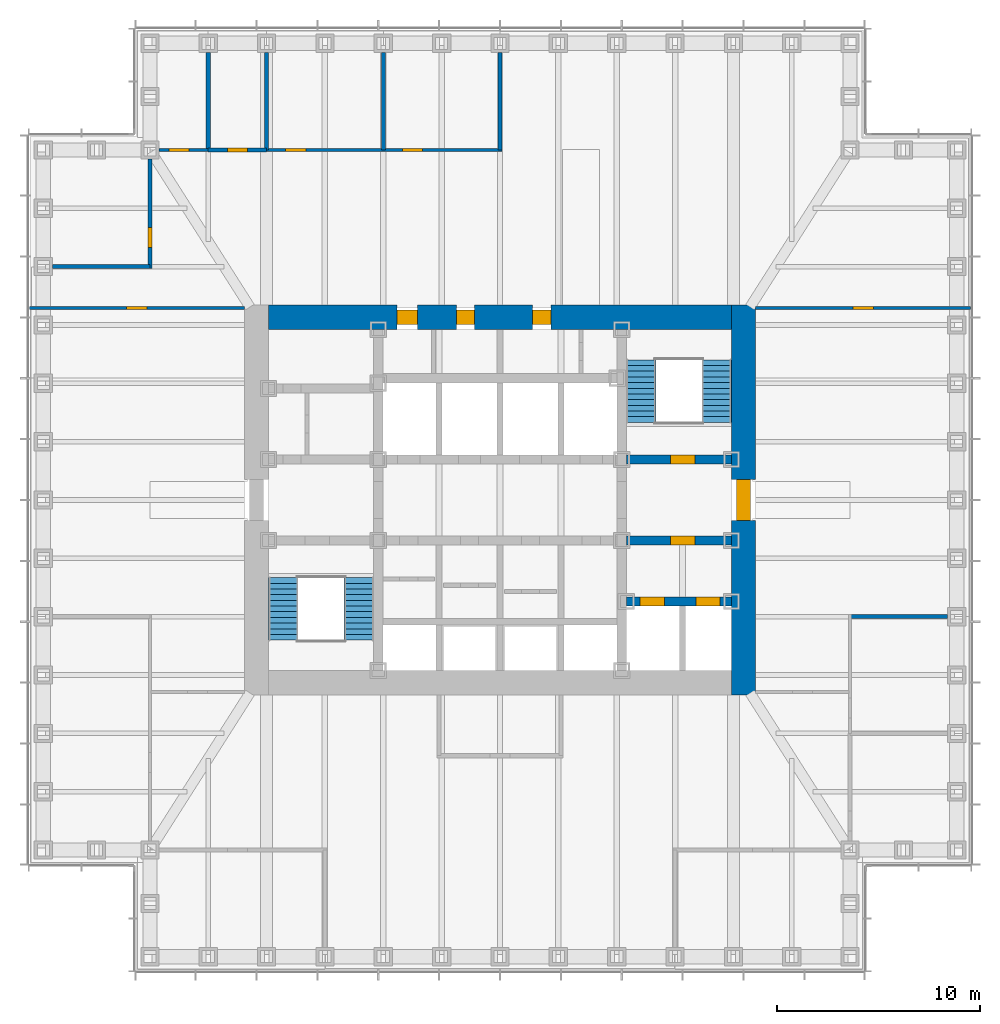
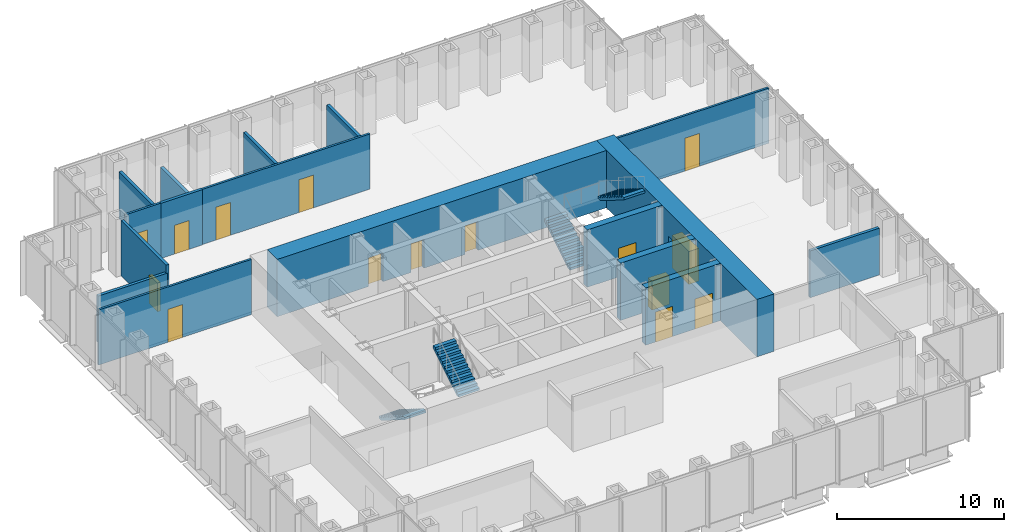
# One storey, part 10 of 16: 17 walls, 15 doors, 4 stair flights, 15 openings, 2 elements without a shape of their own.
"""IFC4 building model written with IfcOpenShell, lengths in metres."""

from ifc_helpers import new_model, si_unit, direction, frame, frame_2d, origin, place, context, subcontext, project, spatial, polyline, rectangle, outline, extrude, material, layer, layer_set, type_object, element, fill, aggregate, save


model = new_model("IFC4")

# Units and contexts
model_context = context("Model", 3, precision=1e-05, world=origin(), true_north=direction((0.0, 1.0)))
body_context = subcontext(model_context, "Body", "Model", "MODEL_VIEW")
ifc_project = project(units=[si_unit("LENGTHUNIT", "METRE"), si_unit("AREAUNIT", "SQUARE_METRE"), si_unit("VOLUMEUNIT", "CUBIC_METRE"), si_unit("PLANEANGLEUNIT", "RADIAN"), si_unit("MASSUNIT", "GRAM", prefix="KILO")], contexts=[model_context])

# Site, building, storey
site_placement = place(None, origin())
site = spatial("IfcSite", under=ifc_project, at=site_placement, CompositionType="ELEMENT")
building_placement = place(site_placement, origin())
building = spatial("IfcBuilding", under=site, at=building_placement, Name="Daluyong Arena Tower", CompositionType="ELEMENT")
storey_placement = place(building_placement, frame((0.0, 0.0, 133.300048828125)))
storey = spatial("IfcBuildingStorey", under=building, at=storey_placement, Name="L29", CompositionType="ELEMENT", Elevation=133.300048828125)

# Wall, openings, doors
ifc_material_1 = material(Name="Concrete fc' 45 MPa", Category="concrete")
ifc_layer_1 = layer(ifc_material_1, 0.449951171875)
ifc_layer_set_1 = layer_set([ifc_layer_1], Name="Concrete fc' 45 MPa")
wall_type_1 = type_object("IfcWallType", Name="Core inner wall 450", PredefinedType="SHEAR", material=ifc_layer_set_1)
wall_1_placement = place(storey_placement, frame((62.22509765625, 75.0, 0.0), z_axis=(0.0, 0.0, 1.0), x_axis=(1.0, 0.0, 0.0)))
wall_1 = element("IfcWall", 1, at=wall_1_placement, inside=storey, type_object=wall_type_1, Name="core inner wall at L29", PredefinedType="SHEAR", context=body_context, shape_type="SweptSolid", body=[
    extrude(rectangle(XDim=5.1748046875, YDim=0.449951171875, at=frame_2d((2.58740234375, 0.0))), origin(), (0.0, 0.0, 1.0), 4.199951171875),
])
opening_1_placement = place(wall_1_placement, frame((0.675048828125, 0.0, 0.0)))
opening_1 = element("IfcOpeningElement", 2, at=opening_1_placement, cuts=wall_1, Name="Opening 29026", PredefinedType="OPENING", context=body_context, shape_type="SweptSolid", body=[
    extrude(rectangle(XDim=1.199951171875, YDim=2.199951171875, at=frame_2d((0.60009765625, 1.10009765625))), frame((0.0, 0.23486328125, 0.0), z_axis=(0.0, -1.0, 0.0), x_axis=(1.0, 0.0, 0.0)), (0.0, 0.0, 1.0), 0.469970703125),
])
opening_2_placement = place(wall_1_placement, frame((3.425048828125, 0.0, 0.0)))
opening_2 = element("IfcOpeningElement", 3, at=opening_2_placement, cuts=wall_1, Name="Opening 29027", PredefinedType="OPENING", context=body_context, shape_type="SweptSolid", body=[
    extrude(rectangle(XDim=1.199951171875, YDim=2.199951171875, at=frame_2d((0.60009765625, 1.10009765625))), frame((0.0, 0.23486328125, 0.0), z_axis=(0.0, -1.0, 0.0), x_axis=(1.0, 0.0, 0.0)), (0.0, 0.0, 1.0), 0.469970703125),
])
ifc_material_2 = material(Name="Steel door, fire rated", Category="steel")
door_type_1 = type_object("IfcDoorType", Name="Firefighting lift landing door 1200", OperationType="SLIDING_TO_LEFT", PredefinedType="DOOR", material=ifc_material_2)
door_1_placement = place(opening_1_placement, origin())
door_1 = element("IfcDoor", 4, at=door_1_placement, inside=storey, type_object=door_type_1, Name="firefighting lift landing door F1 29026", OperationType="SLIDING_TO_LEFT", OverallHeight=2.199951171875, OverallWidth=1.199951171875, PredefinedType="DOOR", context=body_context, shape_type="SweptSolid", body=[
    extrude(rectangle(XDim=1.199951171875, YDim=2.199951171875, at=frame_2d((0.60009765625, 1.10009765625))), frame((0.0, 0.224609375, 0.0), z_axis=(0.0, -1.0, 0.0), x_axis=(1.0, 0.0, 0.0)), (0.0, 0.0, 1.0), 0.449462890625),
])
fill(opening_1, door_1)
door_2_placement = place(opening_2_placement, origin())
door_2 = element("IfcDoor", 5, at=door_2_placement, inside=storey, type_object=door_type_1, Name="firefighting lift landing door F2 29027", OperationType="SLIDING_TO_LEFT", OverallHeight=2.199951171875, OverallWidth=1.199951171875, PredefinedType="DOOR", context=body_context, shape_type="SweptSolid", body=[
    extrude(rectangle(XDim=1.199951171875, YDim=2.199951171875, at=frame_2d((0.60009765625, 1.10009765625))), frame((0.0, 0.224609375, 0.0), z_axis=(0.0, -1.0, 0.0), x_axis=(1.0, 0.0, 0.0)), (0.0, 0.0, 1.0), 0.449462890625),
])
fill(opening_2, door_2)

# Wall, opening, door
wall_2_placement = place(storey_placement, frame((62.22509765625, 78.0, 0.0), z_axis=(0.0, 0.0, 1.0), x_axis=(1.0, 0.0, 0.0)))
wall_2 = element("IfcWall", 6, at=wall_2_placement, inside=storey, type_object=wall_type_1, Name="core inner wall at L29", PredefinedType="SHEAR", context=body_context, shape_type="SweptSolid", body=[
    extrude(rectangle(XDim=5.1748046875, YDim=0.449951171875, at=frame_2d((2.58740234375, 0.0))), origin(), (0.0, 0.0, 1.0), 4.199951171875),
])
opening_3_placement = place(wall_2_placement, frame((2.175048828125, 0.0, 0.0)))
opening_3 = element("IfcOpeningElement", 7, at=opening_3_placement, cuts=wall_2, Name="Opening 29021", PredefinedType="OPENING", context=body_context, shape_type="SweptSolid", body=[
    extrude(rectangle(XDim=1.199951171875, YDim=2.10009765625, at=frame_2d((0.60009765625, 1.050048828125))), frame((0.0, 0.23486328125, 0.0), z_axis=(0.0, -1.0, 0.0), x_axis=(1.0, 0.0, 0.0)), (0.0, 0.0, 1.0), 0.469970703125),
])
ifc_material_3 = material(Name="Steel door, fire rated", Category="steel")
door_type_2 = type_object("IfcDoorType", Name="Firefighting lobby door 1200", OperationType="SINGLE_SWING_RIGHT", PredefinedType="DOOR", material=ifc_material_3)
door_3_placement = place(opening_3_placement, origin())
door_3 = element("IfcDoor", 8, at=door_3_placement, inside=storey, type_object=door_type_2, Name="firefighting lobby door 29021", OperationType="SINGLE_SWING_RIGHT", OverallHeight=2.10009765625, OverallWidth=1.199951171875, PredefinedType="DOOR", context=body_context, shape_type="SweptSolid", body=[
    extrude(rectangle(XDim=1.199951171875, YDim=2.10009765625, at=frame_2d((0.60009765625, 1.050048828125))), frame((0.0, 0.224609375, 0.0), z_axis=(0.0, -1.0, 0.0), x_axis=(1.0, 0.0, 0.0)), (0.0, 0.0, 1.0), 0.449462890625),
])
fill(opening_3, door_3)

wall_3_placement = place(storey_placement, frame((62.22509765625, 82.0, 0.0), z_axis=(0.0, 0.0, 1.0), x_axis=(1.0, 0.0, 0.0)))
wall_3 = element("IfcWall", 9, at=wall_3_placement, inside=storey, type_object=wall_type_1, Name="core inner wall at L29", PredefinedType="SHEAR", context=body_context, shape_type="SweptSolid", body=[
    extrude(rectangle(XDim=5.1748046875, YDim=0.449951171875, at=frame_2d((2.58740234375, 0.0))), origin(), (0.0, 0.0, 1.0), 4.199951171875),
])
opening_4_placement = place(wall_3_placement, frame((2.175048828125, 0.0, 0.0)))
opening_4 = element("IfcOpeningElement", 10, at=opening_4_placement, cuts=wall_3, Name="Opening 29016", PredefinedType="OPENING", context=body_context, shape_type="SweptSolid", body=[
    extrude(rectangle(XDim=1.199951171875, YDim=2.10009765625, at=frame_2d((0.60009765625, 1.050048828125))), frame((0.0, 0.23486328125, 0.0), z_axis=(0.0, -1.0, 0.0), x_axis=(1.0, 0.0, 0.0)), (0.0, 0.0, 1.0), 0.469970703125),
])
ifc_material_4 = material(Name="Steel door, fire rated", Category="steel")
door_type_3 = type_object("IfcDoorType", Name="Stair door 1200", OperationType="SINGLE_SWING_LEFT", PredefinedType="DOOR", material=ifc_material_4)
door_4_placement = place(opening_4_placement, origin())
door_4 = element("IfcDoor", 11, at=door_4_placement, inside=storey, type_object=door_type_3, Name="stair B door 29016", OperationType="SINGLE_SWING_LEFT", OverallHeight=2.10009765625, OverallWidth=1.199951171875, PredefinedType="DOOR", context=body_context, shape_type="SweptSolid", body=[
    extrude(rectangle(XDim=1.199951171875, YDim=2.10009765625, at=frame_2d((0.60009765625, 1.050048828125))), frame((0.0, 0.224609375, 0.0), z_axis=(0.0, -1.0, 0.0), x_axis=(1.0, 0.0, 0.0)), (0.0, 0.0, 1.0), 0.449462890625),
])
fill(opening_4, door_4)

ifc_material_5 = material(Name="Concrete fc' 60 MPa", Category="concrete")
ifc_layer_2 = layer(ifc_material_5, 1.199951171875)
ifc_layer_set_2 = layer_set([ifc_layer_2], Name="Concrete fc' 60 MPa")
wall_type_2 = type_object("IfcWallType", Name="Core wall 1200", PredefinedType="SHEAR", material=ifc_layer_set_2)
wall_4_placement = place(storey_placement, frame((68.0, 70.39990234375, 0.0), z_axis=(0.0, 0.0, 1.0), x_axis=(0.0, 1.0, 0.0)))
wall_4 = element("IfcWall", 12, at=wall_4_placement, inside=storey, type_object=wall_type_2, Name="core wall at L29", PredefinedType="SHEAR", context=body_context, shape_type="SweptSolid", body=[
    extrude(rectangle(XDim=19.2001953125, YDim=1.199951171875, at=frame_2d((9.60009765625, 0.0))), origin(), (0.0, 0.0, 1.0), 4.199951171875),
])
opening_5_placement = place(wall_4_placement, frame((8.60009765625, 0.0, 0.0)))
opening_5 = element("IfcOpeningElement", 13, at=opening_5_placement, cuts=wall_4, Name="Opening 29018", PredefinedType="OPENING", context=body_context, shape_type="SweptSolid", body=[
    extrude(rectangle(XDim=2.0, YDim=2.39990234375, at=frame_2d((1.0, 1.199951171875))), frame((0.0, 0.60986328125, 0.0), z_axis=(0.0, -1.0, 0.0), x_axis=(1.0, 0.0, 0.0)), (0.0, 0.0, 1.0), 1.219970703125),
])
ifc_material_6 = material(Name="Steel door, fire rated", Category="steel")
door_type_4 = type_object("IfcDoorType", Name="Core lobby double door 2000", OperationType="DOUBLE_DOOR_SINGLE_SWING", PredefinedType="DOOR", material=ifc_material_6)
door_5_placement = place(opening_5_placement, origin())
door_5 = element("IfcDoor", 14, at=door_5_placement, inside=storey, type_object=door_type_4, Name="core lobby door east 29018", OperationType="DOUBLE_DOOR_SINGLE_SWING", OverallHeight=2.39990234375, OverallWidth=2.0, PredefinedType="DOOR", context=body_context, shape_type="SweptSolid", body=[
    extrude(rectangle(XDim=2.0, YDim=2.39990234375, at=frame_2d((1.0, 1.199951171875))), frame((0.0, 0.35009765625, 0.0), z_axis=(0.0, -1.0, 0.0), x_axis=(1.0, 0.0, 0.0)), (0.0, 0.0, 1.0), 0.699951171875),
])
fill(opening_5, door_5)

# Wall, openings, doors
wall_5_placement = place(storey_placement, frame((44.60009765625, 89.0, 0.0), z_axis=(0.0, 0.0, 1.0), x_axis=(1.0, 0.0, 0.0)))
wall_5 = element("IfcWall", 15, at=wall_5_placement, inside=storey, type_object=wall_type_2, Name="core wall at L29", PredefinedType="SHEAR", context=body_context, shape_type="SweptSolid", body=[
    extrude(rectangle(XDim=22.7998046875, YDim=1.199951171875, at=frame_2d((11.39990234375, 0.0))), origin(), (0.0, 0.0, 1.0), 4.199951171875),
])
opening_6_placement = place(wall_5_placement, frame((6.324951171875, 0.0, 0.0)))
opening_6 = element("IfcOpeningElement", 16, at=opening_6_placement, cuts=wall_5, Name="Opening 29004", PredefinedType="OPENING", context=body_context, shape_type="SweptSolid", body=[
    extrude(rectangle(XDim=1.0, YDim=2.10009765625, at=frame_2d((0.5, 1.050048828125))), frame((0.0, 0.60986328125, 0.0), z_axis=(0.0, -1.0, 0.0), x_axis=(1.0, 0.0, 0.0)), (0.0, 0.0, 1.0), 1.219970703125),
])
opening_7_placement = place(wall_5_placement, frame((9.25, 0.0, 0.0)))
opening_7 = element("IfcOpeningElement", 17, at=opening_7_placement, cuts=wall_5, Name="Opening 29005", PredefinedType="OPENING", context=body_context, shape_type="SweptSolid", body=[
    extrude(rectangle(XDim=0.89990234375, YDim=2.10009765625, at=frame_2d((0.449951171875, 1.050048828125))), frame((0.0, 0.60986328125, 0.0), z_axis=(0.0, -1.0, 0.0), x_axis=(1.0, 0.0, 0.0)), (0.0, 0.0, 1.0), 1.219970703125),
])
opening_8_placement = place(wall_5_placement, frame((13.012451171875, 0.0, 0.0)))
opening_8 = element("IfcOpeningElement", 18, at=opening_8_placement, cuts=wall_5, Name="Opening 29006", PredefinedType="OPENING", context=body_context, shape_type="SweptSolid", body=[
    extrude(rectangle(XDim=0.89990234375, YDim=2.10009765625, at=frame_2d((0.449951171875, 1.050048828125))), frame((0.0, 0.60986328125, 0.0), z_axis=(0.0, -1.0, 0.0), x_axis=(1.0, 0.0, 0.0)), (0.0, 0.0, 1.0), 1.219970703125),
])
ifc_material_7 = material(Name="Timber door", Category="wood")
door_type_5 = type_object("IfcDoorType", Name="Accessible toilet door 1000", OperationType="SINGLE_SWING_LEFT", PredefinedType="DOOR", material=ifc_material_7)
door_6_placement = place(opening_6_placement, origin())
door_6 = element("IfcDoor", 19, at=door_6_placement, inside=storey, type_object=door_type_5, Name="accessible toilet door 29004", OperationType="SINGLE_SWING_LEFT", OverallHeight=2.10009765625, OverallWidth=1.0, PredefinedType="DOOR", context=body_context, shape_type="SweptSolid", body=[
    extrude(rectangle(XDim=1.0, YDim=2.10009765625, at=frame_2d((0.5, 1.050048828125))), frame((0.0, 0.35009765625, 0.0), z_axis=(0.0, -1.0, 0.0), x_axis=(1.0, 0.0, 0.0)), (0.0, 0.0, 1.0), 0.699951171875),
])
fill(opening_6, door_6)
ifc_material_8 = material(Name="Steel door, fire rated", Category="steel")
door_type_6 = type_object("IfcDoorType", Name="Core store door 900", OperationType="SINGLE_SWING_LEFT", PredefinedType="DOOR", material=ifc_material_8)
door_7_placement = place(opening_7_placement, origin())
door_7 = element("IfcDoor", 20, at=door_7_placement, inside=storey, type_object=door_type_6, Name="security store door 29005", OperationType="SINGLE_SWING_LEFT", OverallHeight=2.10009765625, OverallWidth=0.89990234375, PredefinedType="DOOR", context=body_context, shape_type="SweptSolid", body=[
    extrude(rectangle(XDim=0.89990234375, YDim=2.10009765625, at=frame_2d((0.449951171875, 1.050048828125))), frame((0.0, 0.35009765625, 0.0), z_axis=(0.0, -1.0, 0.0), x_axis=(1.0, 0.0, 0.0)), (0.0, 0.0, 1.0), 0.699951171875),
])
fill(opening_7, door_7)
ifc_material_9 = material(Name="Steel door, fire rated", Category="steel")
door_type_7 = type_object("IfcDoorType", Name="Plant room door 900", OperationType="SINGLE_SWING_LEFT", PredefinedType="DOOR", material=ifc_material_9)
door_8_placement = place(opening_8_placement, origin())
door_8 = element("IfcDoor", 21, at=door_8_placement, inside=storey, type_object=door_type_7, Name="comms room door 29006", OperationType="SINGLE_SWING_LEFT", OverallHeight=2.10009765625, OverallWidth=0.89990234375, PredefinedType="DOOR", context=body_context, shape_type="SweptSolid", body=[
    extrude(rectangle(XDim=0.89990234375, YDim=2.10009765625, at=frame_2d((0.449951171875, 1.050048828125))), frame((0.0, 0.35009765625, 0.0), z_axis=(0.0, -1.0, 0.0), x_axis=(1.0, 0.0, 0.0)), (0.0, 0.0, 1.0), 0.699951171875),
])
fill(opening_8, door_8)

# Wall, opening, door
ifc_material_10 = material(Name="Glazed aluminium partition", Category="aluminium")
ifc_layer_3 = layer(ifc_material_10, 0.14990234375)
ifc_layer_set_3 = layer_set([ifc_layer_3], Name="Glazed aluminium partition")
wall_type_3 = type_object("IfcWallType", Name="Glazed partition 150", PredefinedType="PARTITIONING", material=ifc_layer_set_3)
wall_6_placement = place(storey_placement, frame((32.81005859375, 89.449951171875, 0.0), z_axis=(0.0, 0.0, 1.0), x_axis=(1.0, 0.0, 0.0)))
wall_6 = element("IfcWall", 22, at=wall_6_placement, inside=storey, type_object=wall_type_3, Name="glazed partition at L29", PredefinedType="PARTITIONING", context=body_context, shape_type="SweptSolid", body=[
    extrude(rectangle(XDim=10.58984375, YDim=0.14990234375, at=frame_2d((5.294921875, 0.0))), origin(), (0.0, 0.0, 1.0), 4.0400390625),
])
opening_9_placement = place(wall_6_placement, frame((4.794921875, 0.0, 0.0)))
opening_9 = element("IfcOpeningElement", 23, at=opening_9_placement, cuts=wall_6, Name="Opening 29040", PredefinedType="OPENING", context=body_context, shape_type="SweptSolid", body=[
    extrude(rectangle(XDim=1.0, YDim=2.39990234375, at=frame_2d((0.5, 1.199951171875))), frame((0.0, 0.0849609375, 0.0), z_axis=(0.0, -1.0, 0.0), x_axis=(1.0, 0.0, 0.0)), (0.0, 0.0, 1.0), 0.169921875),
])
ifc_material_11 = material(Name="Glazed aluminium door", Category="aluminium")
door_type_8 = type_object("IfcDoorType", Name="Meeting room glazed door 1000", OperationType="SINGLE_SWING_RIGHT", PredefinedType="DOOR", material=ifc_material_11)
door_9_placement = place(opening_9_placement, origin())
door_9 = element("IfcDoor", 24, at=door_9_placement, inside=storey, type_object=door_type_8, Name="team area screen door 29040", OperationType="SINGLE_SWING_RIGHT", OverallHeight=2.39990234375, OverallWidth=1.0, PredefinedType="DOOR", context=body_context, shape_type="SweptSolid", body=[
    extrude(rectangle(XDim=1.0, YDim=2.39990234375, at=frame_2d((0.5, 1.199951171875))), frame((0.0, 0.07470703125, 0.0), z_axis=(0.0, -1.0, 0.0), x_axis=(1.0, 0.0, 0.0)), (0.0, 0.0, 1.0), 0.1494140625),
])
fill(opening_9, door_9)

wall_7_placement = place(storey_placement, frame((68.60009765625, 89.449951171875, 0.0), z_axis=(0.0, 0.0, 1.0), x_axis=(1.0, 0.0, 0.0)))
wall_7 = element("IfcWall", 25, at=wall_7_placement, inside=storey, type_object=wall_type_3, Name="glazed partition at L29", PredefinedType="PARTITIONING", context=body_context, shape_type="SweptSolid", body=[
    extrude(rectangle(XDim=10.58984375, YDim=0.14990234375, at=frame_2d((5.294921875, 0.0))), origin(), (0.0, 0.0, 1.0), 4.0400390625),
])
opening_10_placement = place(wall_7_placement, frame((4.794921875, 0.0, 0.0)))
opening_10 = element("IfcOpeningElement", 26, at=opening_10_placement, cuts=wall_7, Name="Opening 29042", PredefinedType="OPENING", context=body_context, shape_type="SweptSolid", body=[
    extrude(rectangle(XDim=1.0, YDim=2.39990234375, at=frame_2d((0.5, 1.199951171875))), frame((0.0, 0.0849609375, 0.0), z_axis=(0.0, -1.0, 0.0), x_axis=(1.0, 0.0, 0.0)), (0.0, 0.0, 1.0), 0.169921875),
])
door_10_placement = place(opening_10_placement, origin())
door_10 = element("IfcDoor", 27, at=door_10_placement, inside=storey, type_object=door_type_8, Name="team area screen door 29042", OperationType="SINGLE_SWING_RIGHT", OverallHeight=2.39990234375, OverallWidth=1.0, PredefinedType="DOOR", context=body_context, shape_type="SweptSolid", body=[
    extrude(rectangle(XDim=1.0, YDim=2.39990234375, at=frame_2d((0.5, 1.199951171875))), frame((0.0, 0.07470703125, 0.0), z_axis=(0.0, -1.0, 0.0), x_axis=(1.0, 0.0, 0.0)), (0.0, 0.0, 1.0), 0.1494140625),
])
fill(opening_10, door_10)

wall_8_placement = place(storey_placement, frame((39.199951171875, 97.25, 0.0), z_axis=(0.0, 0.0, 1.0), x_axis=(1.0, 0.0, 0.0)))
wall_8 = element("IfcWall", 28, at=wall_8_placement, inside=storey, type_object=wall_type_3, Name="glazed partition at L29", PredefinedType="PARTITIONING", context=body_context, shape_type="SweptSolid", body=[
    extrude(rectangle(XDim=2.425048828125, YDim=0.14990234375, at=frame_2d((1.21240234375, 0.0))), origin(), (0.0, 0.0, 1.0), 4.0400390625),
])
opening_11_placement = place(wall_8_placement, frame((0.487548828125, 0.0, 0.0)))
opening_11 = element("IfcOpeningElement", 29, at=opening_11_placement, cuts=wall_8, Name="Opening 29032", PredefinedType="OPENING", context=body_context, shape_type="SweptSolid", body=[
    extrude(rectangle(XDim=1.0, YDim=2.39990234375, at=frame_2d((0.5, 1.199951171875))), frame((0.0, 0.0849609375, 0.0), z_axis=(0.0, -1.0, 0.0), x_axis=(1.0, 0.0, 0.0)), (0.0, 0.0, 1.0), 0.169921875),
])
door_11_placement = place(opening_11_placement, origin())
door_11 = element("IfcDoor", 30, at=door_11_placement, inside=storey, type_object=door_type_8, Name="focus room door 29032", OperationType="SINGLE_SWING_RIGHT", OverallHeight=2.39990234375, OverallWidth=1.0, PredefinedType="DOOR", context=body_context, shape_type="SweptSolid", body=[
    extrude(rectangle(XDim=1.0, YDim=2.39990234375, at=frame_2d((0.5, 1.199951171875))), frame((0.0, 0.07470703125, 0.0), z_axis=(0.0, -1.0, 0.0), x_axis=(1.0, 0.0, 0.0)), (0.0, 0.0, 1.0), 0.1494140625),
])
fill(opening_11, door_11)

# Wall, openings, doors
wall_9_placement = place(storey_placement, frame((44.5, 97.25, 0.0), z_axis=(0.0, 0.0, 1.0), x_axis=(1.0, 0.0, 0.0)))
wall_9 = element("IfcWall", 31, at=wall_9_placement, inside=storey, type_object=wall_type_3, Name="glazed partition at L29", PredefinedType="PARTITIONING", context=body_context, shape_type="SweptSolid", body=[
    extrude(rectangle(XDim=11.60009765625, YDim=0.14990234375, at=frame_2d((5.800048828125, 0.0))), origin(), (0.0, 0.0, 1.0), 4.0400390625),
])
opening_12_placement = place(wall_9_placement, frame((0.9375, 0.0, 0.0)))
opening_12 = element("IfcOpeningElement", 32, at=opening_12_placement, cuts=wall_9, Name="Opening 29034", PredefinedType="OPENING", context=body_context, shape_type="SweptSolid", body=[
    extrude(rectangle(XDim=1.0, YDim=2.39990234375, at=frame_2d((0.5, 1.199951171875))), frame((0.0, 0.0849609375, 0.0), z_axis=(0.0, -1.0, 0.0), x_axis=(1.0, 0.0, 0.0)), (0.0, 0.0, 1.0), 0.169921875),
])
opening_13_placement = place(wall_9_placement, frame((6.6875, 0.0, 0.0)))
opening_13 = element("IfcOpeningElement", 33, at=opening_13_placement, cuts=wall_9, Name="Opening 29035", PredefinedType="OPENING", context=body_context, shape_type="SweptSolid", body=[
    extrude(rectangle(XDim=1.0, YDim=2.39990234375, at=frame_2d((0.5, 1.199951171875))), frame((0.0, 0.0849609375, 0.0), z_axis=(0.0, -1.0, 0.0), x_axis=(1.0, 0.0, 0.0)), (0.0, 0.0, 1.0), 0.169921875),
])
door_12_placement = place(opening_12_placement, origin())
door_12 = element("IfcDoor", 34, at=door_12_placement, inside=storey, type_object=door_type_8, Name="meeting room door 29034", OperationType="SINGLE_SWING_RIGHT", OverallHeight=2.39990234375, OverallWidth=1.0, PredefinedType="DOOR", context=body_context, shape_type="SweptSolid", body=[
    extrude(rectangle(XDim=1.0, YDim=2.39990234375, at=frame_2d((0.5, 1.199951171875))), frame((0.0, 0.07470703125, 0.0), z_axis=(0.0, -1.0, 0.0), x_axis=(1.0, 0.0, 0.0)), (0.0, 0.0, 1.0), 0.1494140625),
])
fill(opening_12, door_12)
door_13_placement = place(opening_13_placement, origin())
door_13 = element("IfcDoor", 35, at=door_13_placement, inside=storey, type_object=door_type_8, Name="meeting room door 29035", OperationType="SINGLE_SWING_RIGHT", OverallHeight=2.39990234375, OverallWidth=1.0, PredefinedType="DOOR", context=body_context, shape_type="SweptSolid", body=[
    extrude(rectangle(XDim=1.0, YDim=2.39990234375, at=frame_2d((0.5, 1.199951171875))), frame((0.0, 0.07470703125, 0.0), z_axis=(0.0, -1.0, 0.0), x_axis=(1.0, 0.0, 0.0)), (0.0, 0.0, 1.0), 0.1494140625),
])
fill(opening_13, door_13)

# Walls
ifc_material_12 = material(Name="Concrete block partition", Category="concrete")
ifc_layer_4 = layer(ifc_material_12, 0.199951171875)
ifc_layer_set_4 = layer_set([ifc_layer_4], Name="Concrete block partition")
wall_type_4 = type_object("IfcWallType", Name="Partition 200", PredefinedType="PARTITIONING", material=ifc_layer_set_4)
for number, where, z_axis, x_axis, name in (
    (36, (73.25, 74.25, 0.0), (0.0, 0.0, 1.0), (1.0, 0.0, 0.0), "partition at L29"),
    (37, (41.625, 97.25, 0.0), (0.0, 0.0, 1.0), (0.0, 1.0, 0.0), "partition at L29"),
):
    element("IfcWall", number, at=place(storey_placement, frame(where, z_axis=z_axis, x_axis=x_axis)), inside=storey, type_object=wall_type_4, Name=name, PredefinedType="PARTITIONING", context=body_context, shape_type="SweptSolid", body=[
        extrude(rectangle(XDim=4.800048828125, YDim=0.199951171875, at=frame_2d((2.39990234375, 0.0))), origin(), (0.0, 0.0, 1.0), 3.427734375),
    ])
wall_10_placement = place(storey_placement, frame((44.5, 97.25, 0.0), z_axis=(0.0, 0.0, 1.0), x_axis=(0.0, 1.0, 0.0)))
element("IfcWall", 38, at=wall_10_placement, inside=storey, type_object=wall_type_4, Name="partition at L29", PredefinedType="PARTITIONING", context=body_context, shape_type="SweptSolid", body=[
    extrude(rectangle(XDim=4.800048828125, YDim=0.199951171875, at=frame_2d((2.39990234375, 0.0))), origin(), (0.0, 0.0, 1.0), 2.739990234375),
])
for number, where, z_axis, x_axis, name in (
    (39, (50.25, 97.25, 0.0), (0.0, 0.0, 1.0), (0.0, 1.0, 0.0), "partition at L29"),
    (40, (56.0, 97.25, 0.0), (0.0, 0.0, 1.0), (0.0, 1.0, 0.0), "partition at L29"),
):
    element("IfcWall", number, at=place(storey_placement, frame(where, z_axis=z_axis, x_axis=x_axis)), inside=storey, type_object=wall_type_4, Name=name, PredefinedType="PARTITIONING", context=body_context, shape_type="SweptSolid", body=[
        extrude(rectangle(XDim=4.800048828125, YDim=0.199951171875, at=frame_2d((2.39990234375, 0.0))), origin(), (0.0, 0.0, 1.0), 3.27783203125),
    ])
wall_11_placement = place(storey_placement, frame((33.949951171875, 91.5, 0.0), z_axis=(0.0, 0.0, 1.0), x_axis=(1.0, 0.0, 0.0)))
element("IfcWall", 41, at=wall_11_placement, inside=storey, type_object=wall_type_4, Name="partition at L29", PredefinedType="PARTITIONING", context=body_context, shape_type="SweptSolid", body=[
    extrude(rectangle(XDim=4.800048828125, YDim=0.199951171875, at=frame_2d((2.39990234375, 0.0))), origin(), (0.0, 0.0, 1.0), 3.427734375),
])

# Wall, opening, door
wall_12_placement = place(storey_placement, frame((41.625, 97.25, 0.0), z_axis=(0.0, 0.0, 1.0), x_axis=(1.0, 0.0, 0.0)))
wall_12 = element("IfcWall", 42, at=wall_12_placement, inside=storey, type_object=wall_type_4, Name="partition at L29", PredefinedType="PARTITIONING", context=body_context, shape_type="SweptSolid", body=[
    extrude(rectangle(XDim=2.875, YDim=0.199951171875, at=frame_2d((1.4375, 0.0))), origin(), (0.0, 0.0, 1.0), 4.0400390625),
])
opening_14_placement = place(wall_12_placement, frame((0.9375, 0.0, 0.0)))
opening_14 = element("IfcOpeningElement", 43, at=opening_14_placement, cuts=wall_12, Name="Opening 29033", PredefinedType="OPENING", context=body_context, shape_type="SweptSolid", body=[
    extrude(rectangle(XDim=1.0, YDim=2.10009765625, at=frame_2d((0.5, 1.050048828125))), frame((0.0, 0.10986328125, 0.0), z_axis=(0.0, -1.0, 0.0), x_axis=(1.0, 0.0, 0.0)), (0.0, 0.0, 1.0), 0.219970703125),
])
ifc_material_13 = material(Name="Timber door", Category="wood")
door_type_9 = type_object("IfcDoorType", Name="Room door 1000", OperationType="SINGLE_SWING_LEFT", PredefinedType="DOOR", material=ifc_material_13)
door_14_placement = place(opening_14_placement, origin())
door_14 = element("IfcDoor", 44, at=door_14_placement, inside=storey, type_object=door_type_9, Name="copy room door 29033", OperationType="SINGLE_SWING_LEFT", OverallHeight=2.10009765625, OverallWidth=1.0, PredefinedType="DOOR", context=body_context, shape_type="SweptSolid", body=[
    extrude(rectangle(XDim=1.0, YDim=2.10009765625, at=frame_2d((0.5, 1.050048828125))), frame((0.0, 0.099609375, 0.0), z_axis=(0.0, -1.0, 0.0), x_axis=(1.0, 0.0, 0.0)), (0.0, 0.0, 1.0), 0.199462890625),
])
fill(opening_14, door_14)

wall_13_placement = place(storey_placement, frame((38.75, 91.39990234375, 0.0), z_axis=(0.0, 0.0, 1.0), x_axis=(0.0, 1.0, 0.0)))
wall_13 = element("IfcWall", 45, at=wall_13_placement, inside=storey, type_object=wall_type_4, Name="partition at L29", PredefinedType="PARTITIONING", context=body_context, shape_type="SweptSolid", body=[
    extrude(rectangle(XDim=5.400146484375, YDim=0.199951171875, at=frame_2d((2.7001953125, 0.0))), origin(), (0.0, 0.0, 1.0), 4.0400390625),
])
opening_15_placement = place(wall_13_placement, frame((1.03759765625, 0.0, 0.0)))
opening_15 = element("IfcOpeningElement", 46, at=opening_15_placement, cuts=wall_13, Name="Opening 29037", PredefinedType="OPENING", context=body_context, shape_type="SweptSolid", body=[
    extrude(rectangle(XDim=1.0, YDim=2.10009765625, at=frame_2d((0.5, 1.050048828125))), frame((0.0, 0.10986328125, 0.0), z_axis=(0.0, -1.0, 0.0), x_axis=(1.0, 0.0, 0.0)), (0.0, 0.0, 1.0), 0.219970703125),
])
door_15_placement = place(opening_15_placement, origin())
door_15 = element("IfcDoor", 47, at=door_15_placement, inside=storey, type_object=door_type_9, Name="pantry door 29037", OperationType="SINGLE_SWING_LEFT", OverallHeight=2.10009765625, OverallWidth=1.0, PredefinedType="DOOR", context=body_context, shape_type="SweptSolid", body=[
    extrude(rectangle(XDim=1.0, YDim=2.10009765625, at=frame_2d((0.5, 1.050048828125))), frame((0.0, 0.099609375, 0.0), z_axis=(0.0, -1.0, 0.0), x_axis=(1.0, 0.0, 0.0)), (0.0, 0.0, 1.0), 0.199462890625),
])
fill(opening_15, door_15)

# Stair, stair flights
ifc_material_14 = material(Name="Concrete fc' 35 MPa", Category="concrete")
stair_type = type_object("IfcStairType", Name="Core exit stair", PredefinedType="HALF_TURN_STAIR", material=ifc_material_14)
stair_1_placement = place(storey_placement, origin())
stair_1 = element("IfcStair", 48, at=stair_1_placement, inside=storey, type_object=stair_type, Name="exit stair A L29", PredefinedType="HALF_TURN_STAIR")
ifc_material_15 = material(Name="Concrete fc' 35 MPa", Category="concrete")
stair_flight_type = type_object("IfcStairFlightType", Name="Core stair flight", PredefinedType="STRAIGHT", material=ifc_material_15)
stair_flight_1_placement = place(storey_placement, frame((45.324951171875, 76.175048828125, 0.0), z_axis=(0.0, 0.0, 1.0), x_axis=(0.0, -1.0, 0.0)))
stair_flight_1 = element("IfcStairFlight", 49, at=stair_flight_1_placement, type_object=stair_flight_type, Name="STA flight 1", NumberOfRisers=12, NumberOfTreads=11, PredefinedType="STRAIGHT", RiserHeight=0.175, TreadLength=0.28, context=body_context, shape_type="SweptSolid", body=[
    extrude(outline(polyline([(0.0, 0.0), (0.0, 0.175048828125), (0.280029296875, 0.175048828125), (0.280029296875, 0.35009765625), (0.56005859375, 0.35009765625), (0.56005859375, 0.52490234375), (0.840087890625, 0.52490234375), (0.840087890625, 0.699951171875), (1.1201171875, 0.699951171875), (1.1201171875, 0.875), (1.39990234375, 0.875), (1.39990234375, 1.050048828125), (1.679931640625, 1.050048828125), (1.679931640625, 1.22509765625), (1.9599609375, 1.22509765625), (1.9599609375, 1.39990234375), (2.239990234375, 1.39990234375), (2.239990234375, 1.574951171875), (2.52001953125, 1.574951171875), (2.52001953125, 1.75), (2.800048828125, 1.75), (2.800048828125, 1.925048828125), (3.080078125, 1.925048828125), (3.080078125, 2.10009765625), (3.080078125, 1.748291015625), (0.28271484375, 0.0), (0.0, 0.0)])), frame((0.0, 0.72509765625, 0.0), z_axis=(0.0, -1.0, 0.0), x_axis=(1.0, 0.0, 0.0)), (0.0, 0.0, 1.0), 1.449951171875),
])
stair_flight_2_placement = place(storey_placement, frame((49.050048828125, 73.094970703125, 2.099853515625), z_axis=(0.0, 0.0, 1.0), x_axis=(0.0, 1.0, 0.0)))
stair_flight_2 = element("IfcStairFlight", 50, at=stair_flight_2_placement, type_object=stair_flight_type, Name="STA flight 2", NumberOfRisers=12, NumberOfTreads=11, PredefinedType="STRAIGHT", RiserHeight=0.175, TreadLength=0.28, context=body_context, shape_type="SweptSolid", body=[
    extrude(outline(polyline([(0.0, 0.0), (0.0, 0.175048828125), (0.280029296875, 0.175048828125), (0.280029296875, 0.35009765625), (0.56005859375, 0.35009765625), (0.56005859375, 0.52490234375), (0.840087890625, 0.52490234375), (0.840087890625, 0.699951171875), (1.1201171875, 0.699951171875), (1.1201171875, 0.875), (1.39990234375, 0.875), (1.39990234375, 1.050048828125), (1.679931640625, 1.050048828125), (1.679931640625, 1.22509765625), (1.9599609375, 1.22509765625), (1.9599609375, 1.39990234375), (2.239990234375, 1.39990234375), (2.239990234375, 1.574951171875), (2.52001953125, 1.574951171875), (2.52001953125, 1.75), (2.800048828125, 1.75), (2.800048828125, 1.925048828125), (3.080078125, 1.925048828125), (3.080078125, 2.10009765625), (3.080078125, 1.748291015625), (0.28271484375, 0.0), (0.0, 0.0)])), frame((0.0, 0.72509765625, 0.0), z_axis=(0.0, -1.0, 0.0), x_axis=(1.0, 0.0, 0.0)), (0.0, 0.0, 1.0), 1.449951171875),
])
aggregate(stair_1, [stair_flight_1, stair_flight_2])

stair_2_placement = place(storey_placement, origin())
stair_2 = element("IfcStair", 51, at=stair_2_placement, inside=storey, type_object=stair_type, Name="exit stair B L29", PredefinedType="HALF_TURN_STAIR")
stair_flight_3_placement = place(storey_placement, frame((62.949951171875, 83.824951171875, 0.0), z_axis=(0.0, 0.0, 1.0), x_axis=(0.0, 1.0, 0.0)))
stair_flight_3 = element("IfcStairFlight", 52, at=stair_flight_3_placement, type_object=stair_flight_type, Name="STB flight 1", NumberOfRisers=12, NumberOfTreads=11, PredefinedType="STRAIGHT", RiserHeight=0.175, TreadLength=0.28, context=body_context, shape_type="SweptSolid", body=[
    extrude(outline(polyline([(0.0, 0.0), (0.0, 0.175048828125), (0.280029296875, 0.175048828125), (0.280029296875, 0.35009765625), (0.56005859375, 0.35009765625), (0.56005859375, 0.52490234375), (0.840087890625, 0.52490234375), (0.840087890625, 0.699951171875), (1.1201171875, 0.699951171875), (1.1201171875, 0.875), (1.39990234375, 0.875), (1.39990234375, 1.050048828125), (1.679931640625, 1.050048828125), (1.679931640625, 1.22509765625), (1.9599609375, 1.22509765625), (1.9599609375, 1.39990234375), (2.239990234375, 1.39990234375), (2.239990234375, 1.574951171875), (2.52001953125, 1.574951171875), (2.52001953125, 1.75), (2.800048828125, 1.75), (2.800048828125, 1.925048828125), (3.080078125, 1.925048828125), (3.080078125, 2.10009765625), (3.080078125, 1.748291015625), (0.28271484375, 0.0), (0.0, 0.0)])), frame((0.0, 0.72509765625, 0.0), z_axis=(0.0, -1.0, 0.0), x_axis=(1.0, 0.0, 0.0)), (0.0, 0.0, 1.0), 1.449951171875),
])
stair_flight_4_placement = place(storey_placement, frame((66.675048828125, 86.905029296875, 2.099853515625), z_axis=(0.0, 0.0, 1.0), x_axis=(0.0, -1.0, 0.0)))
stair_flight_4 = element("IfcStairFlight", 53, at=stair_flight_4_placement, type_object=stair_flight_type, Name="STB flight 2", NumberOfRisers=12, NumberOfTreads=11, PredefinedType="STRAIGHT", RiserHeight=0.175, TreadLength=0.28, context=body_context, shape_type="SweptSolid", body=[
    extrude(outline(polyline([(0.0, 0.0), (0.0, 0.175048828125), (0.280029296875, 0.175048828125), (0.280029296875, 0.35009765625), (0.56005859375, 0.35009765625), (0.56005859375, 0.52490234375), (0.840087890625, 0.52490234375), (0.840087890625, 0.699951171875), (1.1201171875, 0.699951171875), (1.1201171875, 0.875), (1.39990234375, 0.875), (1.39990234375, 1.050048828125), (1.679931640625, 1.050048828125), (1.679931640625, 1.22509765625), (1.9599609375, 1.22509765625), (1.9599609375, 1.39990234375), (2.239990234375, 1.39990234375), (2.239990234375, 1.574951171875), (2.52001953125, 1.574951171875), (2.52001953125, 1.75), (2.800048828125, 1.75), (2.800048828125, 1.925048828125), (3.080078125, 1.925048828125), (3.080078125, 2.10009765625), (3.080078125, 1.748291015625), (0.28271484375, 0.0), (0.0, 0.0)])), frame((0.0, 0.72509765625, 0.0), z_axis=(0.0, -1.0, 0.0), x_axis=(1.0, 0.0, 0.0)), (0.0, 0.0, 1.0), 1.449951171875),
])
aggregate(stair_2, [stair_flight_3, stair_flight_4])

save(model, "model.ifc")
